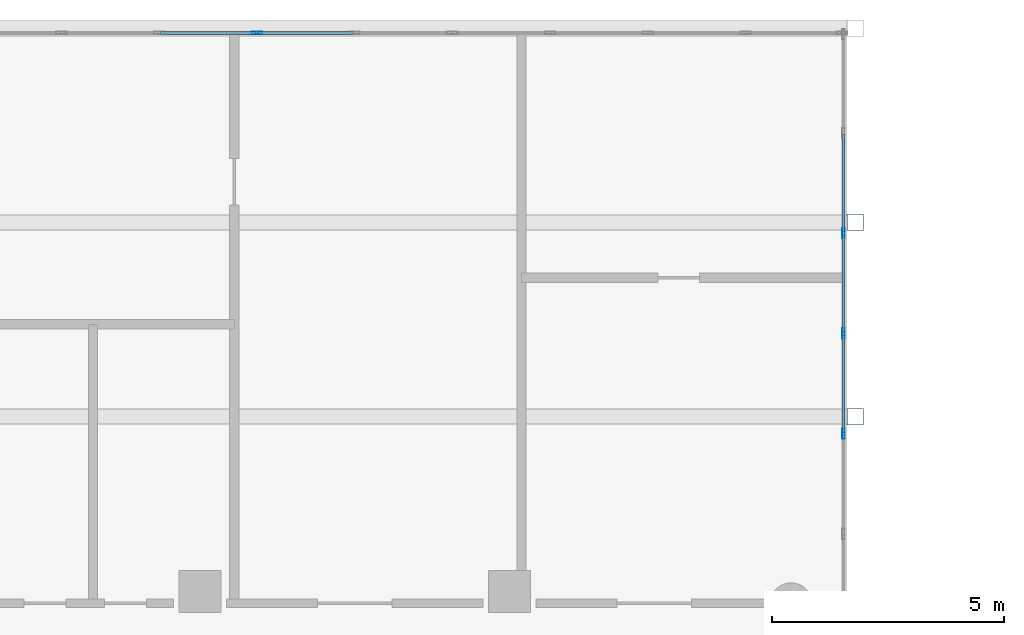
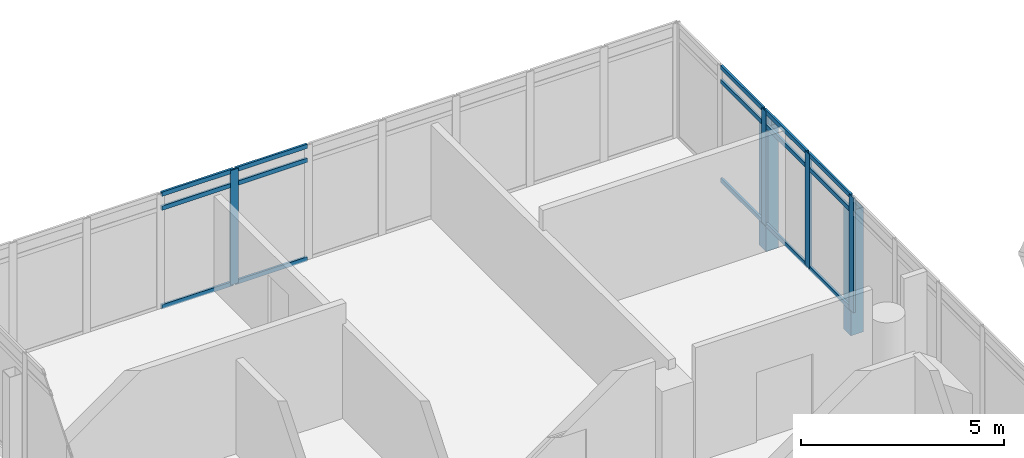
# One storey, part 21 of 37: 21 members, 2 elements without a shape of their own.
"""IFC4 building model written with IfcOpenShell, lengths in metres."""

from ifc_helpers import new_model, si_unit, direction, frame, origin, origin_2d, place, context, subcontext, project, spatial, hollow_rectangle, extrude, material, material_profile, profile_set, type_object, element, aggregate, save


model = new_model("IFC4")

# Units and contexts
model_context = context("Model", 3, precision=1e-05, world=origin(), true_north=direction((0.0, 1.0)))
body_context = subcontext(model_context, "Body", "Model", "MODEL_VIEW")
ifc_project = project(units=[si_unit("LENGTHUNIT", "METRE"), si_unit("AREAUNIT", "SQUARE_METRE"), si_unit("VOLUMEUNIT", "CUBIC_METRE"), si_unit("PLANEANGLEUNIT", "RADIAN"), si_unit("MASSUNIT", "GRAM", prefix="KILO")], contexts=[model_context])

# Site, building, storey
site_placement = place(None, origin())
site = spatial("IfcSite", under=ifc_project, at=site_placement, CompositionType="ELEMENT")
building_placement = place(site_placement, origin())
building = spatial("IfcBuilding", under=site, at=building_placement, Name="Ostrander Bayou Hotel Tower", CompositionType="ELEMENT")
storey_placement = place(building_placement, frame((0.0, 0.0, 225.75)))
storey = spatial("IfcBuildingStorey", under=building, at=storey_placement, Name="L56", CompositionType="ELEMENT", Elevation=225.75)

# Curtain wall, member
ifc_material_1 = material(Name="Aluminium and clear glass", Category="aluminium")
curtain_wall_type = type_object("IfcCurtainWallType", Name="CW-BAR glazed wall", PredefinedType="NOTDEFINED", material=ifc_material_1)
curtain_wall_1_placement = place(storey_placement, origin())
curtain_wall_1 = element("IfcCurtainWall", 1, at=curtain_wall_1_placement, inside=storey, type_object=curtain_wall_type, Name="CW-BAR L56:SB5N:T", PredefinedType="NOTDEFINED")
ifc_material_2 = material(Name="Aluminium", Category="aluminium")
ifc_material_profile_1 = material_profile(ifc_material_2, hollow_rectangle(XDim=0.06005859375, YDim=0.219970703125, WallThickness=0.00390625, at=origin_2d()))
ifc_profile_set_1 = profile_set([ifc_material_profile_1], Name="Aluminium")
member_type_1 = type_object("IfcMemberType", Name="CW-BR mullion 60 x 220 mm", PredefinedType="MULLION", material=ifc_profile_set_1)
member_1_placement = place(storey_placement, frame((-2.1025390625, 28.86669921875, 0.0), z_axis=(0.0, 0.0, 1.0), x_axis=(0.0, 1.0, 0.0)))
member_1 = element("IfcMember", 2, at=member_1_placement, type_object=member_type_1, Name="CW-BAR mullion 5", PredefinedType="MULLION", context=body_context, shape_type="SweptSolid", body=[
    extrude(hollow_rectangle(XDim=0.06005859375, YDim=0.219970703125, WallThickness=0.00390625, at=origin_2d()), origin(), (0.0, 0.0, 1.0), 3.449951171875),
])

# Curtain wall, members
curtain_wall_2_placement = place(storey_placement, origin())
curtain_wall_2 = element("IfcCurtainWall", 3, at=curtain_wall_2_placement, inside=storey, type_object=curtain_wall_type, Name="CW-BAR L56:SB5N:W", PredefinedType="NOTDEFINED")
member_2_placement = place(storey_placement, frame((10.51220703125, 20.24365234375, 0.0), z_axis=(0.0, 0.0, 1.0), x_axis=(-1.0, 0.0, 0.0)))
member_2 = element("IfcMember", 4, at=member_2_placement, type_object=member_type_1, Name="CW-BAR mullion 6", PredefinedType="MULLION", context=body_context, shape_type="SweptSolid", body=[
    extrude(hollow_rectangle(XDim=0.06005859375, YDim=0.219970703125, WallThickness=0.00390625, at=origin_2d()), origin(), (0.0, 0.0, 1.0), 3.449951171875),
])
member_3_placement = place(storey_placement, frame((10.51220703125, 22.3994140625, 0.0), z_axis=(0.0, 0.0, 1.0), x_axis=(-1.0, 0.0, 0.0)))
member_3 = element("IfcMember", 5, at=member_3_placement, type_object=member_type_1, Name="CW-BAR mullion 7", PredefinedType="MULLION", context=body_context, shape_type="SweptSolid", body=[
    extrude(hollow_rectangle(XDim=0.06005859375, YDim=0.219970703125, WallThickness=0.00390625, at=origin_2d()), origin(), (0.0, 0.0, 1.0), 3.449951171875),
])
member_4_placement = place(storey_placement, frame((10.51220703125, 24.55517578125, 0.0), z_axis=(0.0, 0.0, 1.0), x_axis=(-1.0, 0.0, 0.0)))
member_4 = element("IfcMember", 6, at=member_4_placement, type_object=member_type_1, Name="CW-BAR mullion 8", PredefinedType="MULLION", context=body_context, shape_type="SweptSolid", body=[
    extrude(hollow_rectangle(XDim=0.06005859375, YDim=0.219970703125, WallThickness=0.00390625, at=origin_2d()), origin(), (0.0, 0.0, 1.0), 3.449951171875),
])

# Member
ifc_material_3 = material(Name="Aluminium", Category="aluminium")
ifc_material_profile_2 = material_profile(ifc_material_3, hollow_rectangle(XDim=0.06005859375, YDim=0.1298828125, WallThickness=0.00390625, at=origin_2d()))
ifc_profile_set_2 = profile_set([ifc_material_profile_2], Name="Aluminium")
member_type_2 = type_object("IfcMemberType", Name="CW-BR transom 60 x 130 mm", PredefinedType="USERDEFINED", material=ifc_profile_set_2)
member_5_placement = place(storey_placement, frame((-4.1748046875, 28.86669921875, 0.030029296875), z_axis=(1.0, 0.0, 0.0), x_axis=(0.0, 1.0, 0.0)))
member_5 = element("IfcMember", 7, at=member_5_placement, type_object=member_type_2, Name="CW-BAR transom 4.1", ObjectType="TRANSOM", PredefinedType="USERDEFINED", context=body_context, shape_type="SweptSolid", body=[
    extrude(hollow_rectangle(XDim=0.06005859375, YDim=0.1298828125, WallThickness=0.00390625, at=origin_2d()), origin(), (0.0, 0.0, 1.0), 2.04248046875),
])

member_6_placement = place(storey_placement, frame((-4.1748046875, 28.86669921875, 3.0), z_axis=(1.0, 0.0, 0.0), x_axis=(0.0, 1.0, 0.0)))
member_6 = element("IfcMember", 8, at=member_6_placement, type_object=member_type_2, Name="CW-BAR transom 4.2", ObjectType="TRANSOM", PredefinedType="USERDEFINED", context=body_context, shape_type="SweptSolid", body=[
    extrude(hollow_rectangle(XDim=0.06005859375, YDim=0.1298828125, WallThickness=0.00390625, at=origin_2d()), origin(), (0.0, 0.0, 1.0), 2.04248046875),
])

member_7_placement = place(storey_placement, frame((-4.1748046875, 28.86669921875, 3.419921875), z_axis=(1.0, 0.0, 0.0), x_axis=(0.0, 1.0, 0.0)))
member_7 = element("IfcMember", 9, at=member_7_placement, type_object=member_type_2, Name="CW-BAR transom 4.3", ObjectType="TRANSOM", PredefinedType="USERDEFINED", context=body_context, shape_type="SweptSolid", body=[
    extrude(hollow_rectangle(XDim=0.06005859375, YDim=0.1298828125, WallThickness=0.00390625, at=origin_2d()), origin(), (0.0, 0.0, 1.0), 2.04248046875),
])

member_8_placement = place(storey_placement, frame((-2.072509765625, 28.86669921875, 0.030029296875), z_axis=(1.0, 0.0, 0.0), x_axis=(0.0, 1.0, 0.0)))
member_8 = element("IfcMember", 10, at=member_8_placement, type_object=member_type_2, Name="CW-BAR transom 5.1", ObjectType="TRANSOM", PredefinedType="USERDEFINED", context=body_context, shape_type="SweptSolid", body=[
    extrude(hollow_rectangle(XDim=0.06005859375, YDim=0.1298828125, WallThickness=0.00390625, at=origin_2d()), origin(), (0.0, 0.0, 1.0), 2.04248046875),
])

member_9_placement = place(storey_placement, frame((-2.072509765625, 28.86669921875, 3.0), z_axis=(1.0, 0.0, 0.0), x_axis=(0.0, 1.0, 0.0)))
member_9 = element("IfcMember", 11, at=member_9_placement, type_object=member_type_2, Name="CW-BAR transom 5.2", ObjectType="TRANSOM", PredefinedType="USERDEFINED", context=body_context, shape_type="SweptSolid", body=[
    extrude(hollow_rectangle(XDim=0.06005859375, YDim=0.1298828125, WallThickness=0.00390625, at=origin_2d()), origin(), (0.0, 0.0, 1.0), 2.04248046875),
])

member_10_placement = place(storey_placement, frame((-2.072509765625, 28.86669921875, 3.419921875), z_axis=(1.0, 0.0, 0.0), x_axis=(0.0, 1.0, 0.0)))
member_10 = element("IfcMember", 12, at=member_10_placement, type_object=member_type_2, Name="CW-BAR transom 5.3", ObjectType="TRANSOM", PredefinedType="USERDEFINED", context=body_context, shape_type="SweptSolid", body=[
    extrude(hollow_rectangle(XDim=0.06005859375, YDim=0.1298828125, WallThickness=0.00390625, at=origin_2d()), origin(), (0.0, 0.0, 1.0), 2.04248046875),
])

aggregate(curtain_wall_1, [member_1, member_5, member_6, member_7, member_8, member_9, member_10])

member_11_placement = place(storey_placement, frame((10.51220703125, 20.273681640625, 0.030029296875), z_axis=(0.0, 1.0, 0.0), x_axis=(-1.0, 0.0, 0.0)))
member_11 = element("IfcMember", 13, at=member_11_placement, type_object=member_type_2, Name="CW-BAR transom 6.1", ObjectType="TRANSOM", PredefinedType="USERDEFINED", context=body_context, shape_type="SweptSolid", body=[
    extrude(hollow_rectangle(XDim=0.06005859375, YDim=0.1298828125, WallThickness=0.00390625, at=origin_2d()), origin(), (0.0, 0.0, 1.0), 2.095703125),
])

member_12_placement = place(storey_placement, frame((10.51220703125, 20.273681640625, 3.0), z_axis=(0.0, 1.0, 0.0), x_axis=(-1.0, 0.0, 0.0)))
member_12 = element("IfcMember", 14, at=member_12_placement, type_object=member_type_2, Name="CW-BAR transom 6.2", ObjectType="TRANSOM", PredefinedType="USERDEFINED", context=body_context, shape_type="SweptSolid", body=[
    extrude(hollow_rectangle(XDim=0.06005859375, YDim=0.1298828125, WallThickness=0.00390625, at=origin_2d()), origin(), (0.0, 0.0, 1.0), 2.095703125),
])

member_13_placement = place(storey_placement, frame((10.51220703125, 20.273681640625, 3.419921875), z_axis=(0.0, 1.0, 0.0), x_axis=(-1.0, 0.0, 0.0)))
member_13 = element("IfcMember", 15, at=member_13_placement, type_object=member_type_2, Name="CW-BAR transom 6.3", ObjectType="TRANSOM", PredefinedType="USERDEFINED", context=body_context, shape_type="SweptSolid", body=[
    extrude(hollow_rectangle(XDim=0.06005859375, YDim=0.1298828125, WallThickness=0.00390625, at=origin_2d()), origin(), (0.0, 0.0, 1.0), 2.095703125),
])

member_14_placement = place(storey_placement, frame((10.51220703125, 22.429443359375, 0.030029296875), z_axis=(0.0, 1.0, 0.0), x_axis=(-1.0, 0.0, 0.0)))
member_14 = element("IfcMember", 16, at=member_14_placement, type_object=member_type_2, Name="CW-BAR transom 7.1", ObjectType="TRANSOM", PredefinedType="USERDEFINED", context=body_context, shape_type="SweptSolid", body=[
    extrude(hollow_rectangle(XDim=0.06005859375, YDim=0.1298828125, WallThickness=0.00390625, at=origin_2d()), origin(), (0.0, 0.0, 1.0), 2.095703125),
])

member_15_placement = place(storey_placement, frame((10.51220703125, 22.429443359375, 3.0), z_axis=(0.0, 1.0, 0.0), x_axis=(-1.0, 0.0, 0.0)))
member_15 = element("IfcMember", 17, at=member_15_placement, type_object=member_type_2, Name="CW-BAR transom 7.2", ObjectType="TRANSOM", PredefinedType="USERDEFINED", context=body_context, shape_type="SweptSolid", body=[
    extrude(hollow_rectangle(XDim=0.06005859375, YDim=0.1298828125, WallThickness=0.00390625, at=origin_2d()), origin(), (0.0, 0.0, 1.0), 2.095703125),
])

member_16_placement = place(storey_placement, frame((10.51220703125, 22.429443359375, 3.419921875), z_axis=(0.0, 1.0, 0.0), x_axis=(-1.0, 0.0, 0.0)))
member_16 = element("IfcMember", 18, at=member_16_placement, type_object=member_type_2, Name="CW-BAR transom 7.3", ObjectType="TRANSOM", PredefinedType="USERDEFINED", context=body_context, shape_type="SweptSolid", body=[
    extrude(hollow_rectangle(XDim=0.06005859375, YDim=0.1298828125, WallThickness=0.00390625, at=origin_2d()), origin(), (0.0, 0.0, 1.0), 2.095703125),
])

member_17_placement = place(storey_placement, frame((10.51220703125, 24.585205078125, 0.030029296875), z_axis=(0.0, 1.0, 0.0), x_axis=(-1.0, 0.0, 0.0)))
member_17 = element("IfcMember", 19, at=member_17_placement, type_object=member_type_2, Name="CW-BAR transom 8.1", ObjectType="TRANSOM", PredefinedType="USERDEFINED", context=body_context, shape_type="SweptSolid", body=[
    extrude(hollow_rectangle(XDim=0.06005859375, YDim=0.1298828125, WallThickness=0.00390625, at=origin_2d()), origin(), (0.0, 0.0, 1.0), 2.095703125),
])

member_18_placement = place(storey_placement, frame((10.51220703125, 24.585205078125, 3.0), z_axis=(0.0, 1.0, 0.0), x_axis=(-1.0, 0.0, 0.0)))
member_18 = element("IfcMember", 20, at=member_18_placement, type_object=member_type_2, Name="CW-BAR transom 8.2", ObjectType="TRANSOM", PredefinedType="USERDEFINED", context=body_context, shape_type="SweptSolid", body=[
    extrude(hollow_rectangle(XDim=0.06005859375, YDim=0.1298828125, WallThickness=0.00390625, at=origin_2d()), origin(), (0.0, 0.0, 1.0), 2.095703125),
])

member_19_placement = place(storey_placement, frame((10.51220703125, 24.585205078125, 3.419921875), z_axis=(0.0, 1.0, 0.0), x_axis=(-1.0, 0.0, 0.0)))
member_19 = element("IfcMember", 21, at=member_19_placement, type_object=member_type_2, Name="CW-BAR transom 8.3", ObjectType="TRANSOM", PredefinedType="USERDEFINED", context=body_context, shape_type="SweptSolid", body=[
    extrude(hollow_rectangle(XDim=0.06005859375, YDim=0.1298828125, WallThickness=0.00390625, at=origin_2d()), origin(), (0.0, 0.0, 1.0), 2.095703125),
])

aggregate(curtain_wall_2, [member_2, member_3, member_4, member_11, member_12, member_13, member_14, member_15, member_16, member_17, member_18, member_19])

# Members
ifc_material_4 = material(Name="Steel ASTM A500 Gr C", Category="steel")
ifc_material_profile_3 = material_profile(ifc_material_4, hollow_rectangle(XDim=0.355712890625, YDim=0.355712890625, WallThickness=0.01171875, at=origin_2d()))
ifc_profile_set_3 = profile_set([ifc_material_profile_3], Name="Steel ASTM A500 Gr C")
member_type_3 = type_object("IfcMemberType", Name="TH2 bar hanger HSS14x14x1/2", PredefinedType="POST", material=ifc_profile_set_3)
for number, where, z_axis, x_axis, name in (
    (22, (10.764892578125, 24.790283203125, -0.9111328125), (0.0, 0.0, 1.0), (1.0, 0.0, 0.0), "TH2 SB5WB H2-2"),
    (23, (10.764892578125, 20.6142578125, -0.9111328125), (0.0, 0.0, 1.0), (1.0, 0.0, 0.0), "TH2 SB5WB H3-2"),
):
    element("IfcMember", number, at=place(storey_placement, frame(where, z_axis=z_axis, x_axis=x_axis)), inside=storey, type_object=member_type_3, Name=name, PredefinedType="POST", context=body_context, shape_type="SweptSolid", body=[
        extrude(hollow_rectangle(XDim=0.355712890625, YDim=0.355712890625, WallThickness=0.01171875, at=origin_2d()), origin(), (0.0, 0.0, 1.0), 3.75),
    ])

save(model, "model.ifc")
